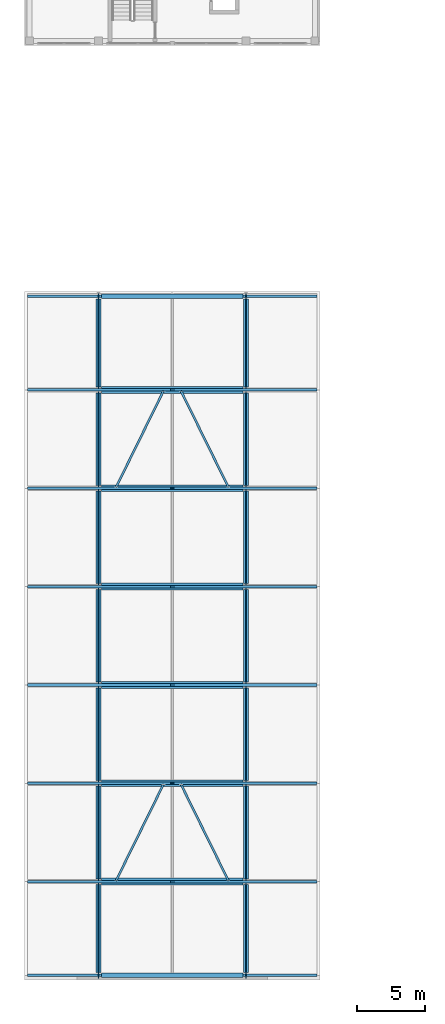
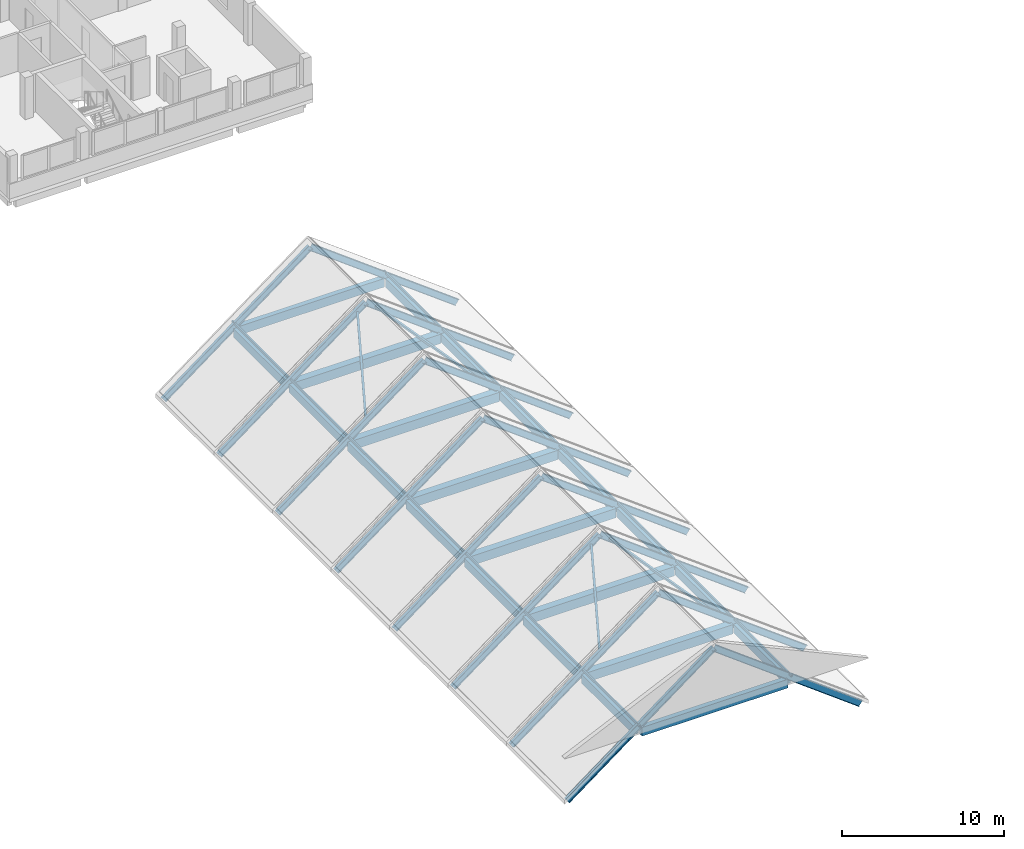
# One storey, part 3 of 35: 34 members, 22 beams.
"""IFC4 building model written with IfcOpenShell, lengths in metres."""

from ifc_helpers import new_model, si_unit, derived_unit, direction, frame, origin, origin_2d, place, context, subcontext, project, spatial, rectangle, hollow_rectangle, i_section, extrude, material, material_profile, profile_set, type_object, element, save


model = new_model("IFC4")

# Units and contexts
model_context = context("Model", 3, precision=1e-05, world=origin(), true_north=direction((0.0, 1.0)))
body_context = subcontext(model_context, "Body", "Model", "MODEL_VIEW")
ifc_project = project(units=[si_unit("LENGTHUNIT", "METRE"), si_unit("AREAUNIT", "SQUARE_METRE"), si_unit("VOLUMEUNIT", "CUBIC_METRE"), si_unit("PLANEANGLEUNIT", "RADIAN"), si_unit("MASSUNIT", "GRAM", prefix="KILO"), derived_unit("THERMALTRANSMITTANCEUNIT", [(si_unit("MASSUNIT", "GRAM", prefix="KILO"), 1), (si_unit("TIMEUNIT", "SECOND"), -3), (si_unit("THERMODYNAMICTEMPERATUREUNIT", "KELVIN"), -1)])], contexts=[model_context])

# Site, building, storey
site_placement = place(None, origin())
site = spatial("IfcSite", under=ifc_project, at=site_placement, CompositionType="ELEMENT")
building_placement = place(site_placement, origin())
building = spatial("IfcBuilding", under=site, at=building_placement, Name="Ochrekiln Boulevard Commons", CompositionType="ELEMENT")
storey_placement = place(building_placement, frame((0.0, 0.0, 30.97509765625)))
storey = spatial("IfcBuildingStorey", under=building, at=storey_placement, Name="L09", CompositionType="ELEMENT", Elevation=30.97509765625)

# Beams
ifc_material_1 = material(Name="Concrete C40/50", Category="concrete")
ifc_material_profile_1 = material_profile(ifc_material_1, rectangle(XDim=0.5, YDim=0.699951171875, at=origin_2d()), Name="RC-BM-500x700")
ifc_profile_set_1 = profile_set([ifc_material_profile_1], Name="Concrete C40/50")
beam_type_1 = type_object("IfcBeamType", Name="BM-RC-500x700", PredefinedType="BEAM", material=ifc_profile_set_1)
for number, where, z_axis, x_axis, name in (
    (1, (5.610107421875, 7.199951171875, -0.650146484375), (1.0, 0.0, 0.0), (0.0, 1.0, 0.0), "Block D L09 Beam B-5070 X2"),
    (2, (5.610107421875, 14.39990234375, -0.650146484375), (1.0, 0.0, 0.0), (0.0, 1.0, 0.0), "Block D L09 Beam B-5070 X3"),
    (3, (5.610107421875, 21.60009765625, -0.650146484375), (1.0, 0.0, 0.0), (0.0, 1.0, 0.0), "Block D L09 Beam B-5070 X4"),
    (4, (5.610107421875, 28.800048828125, -0.650146484375), (1.0, 0.0, 0.0), (0.0, 1.0, 0.0), "Block D L09 Beam B-5070 X5"),
    (5, (5.610107421875, 36.0, -0.650146484375), (1.0, 0.0, 0.0), (0.0, 1.0, 0.0), "Block D L09 Beam B-5070 X6"),
    (6, (5.610107421875, 43.199951171875, -0.650146484375), (1.0, 0.0, 0.0), (0.0, 1.0, 0.0), "Block D L09 Beam B-5070 X7"),
):
    element("IfcBeam", number, at=place(storey_placement, frame(where, z_axis=z_axis, x_axis=x_axis)), inside=storey, type_object=beam_type_1, Name=name, PredefinedType="BEAM", context=body_context, shape_type="SweptSolid", body=[
        extrude(rectangle(XDim=0.5, YDim=0.699951171875, at=origin_2d()), origin(), (0.0, 0.0, 1.0), 10.3798828125),
    ])

# Members
ifc_material_2 = material(Name="Steel A500 Grade C", Category="steel")
ifc_material_profile_2 = material_profile(ifc_material_2, hollow_rectangle(XDim=0.14990234375, YDim=0.14990234375, WallThickness=0.009521484375, at=origin_2d()), Name="HSS150X150X9.5")
ifc_profile_set_2 = profile_set([ifc_material_profile_2], Name="Steel A500 Grade C")
member_type_1 = type_object("IfcMemberType", Name="MEM-BRC-HSS150", PredefinedType="BRACE", material=ifc_profile_set_2)
for number, where, z_axis, x_axis, name in (
    (7, (6.696044921875, 7.2900390625, 0.706298828125), (0.41928190663, 0.85165526584, 0.314461429972), (-0.897168393426, 0.441688661659, 0.0), "Block D Roof Diagonal Brace 2W"),
    (8, (14.904052734375, 7.2900390625, 0.706298828125), (-0.41928190663, 0.85165526584, 0.314461429972), (-0.897168393426, -0.441688661659, 0.0), "Block D Roof Diagonal Brace 2E"),
    (9, (6.696044921875, 36.090087890625, 0.706298828125), (0.41928190663, 0.85165526584, 0.314461429972), (-0.897168393426, 0.441688661659, 0.0), "Block D Roof Diagonal Brace 6W"),
    (10, (14.904052734375, 36.090087890625, 0.706298828125), (-0.41928190663, 0.85165526584, 0.314461429972), (-0.897168393426, -0.441688661659, 0.0), "Block D Roof Diagonal Brace 6E"),
):
    element("IfcMember", number, at=place(storey_placement, frame(where, z_axis=z_axis, x_axis=x_axis)), inside=storey, type_object=member_type_1, Name=name, PredefinedType="BRACE", context=body_context, shape_type="SweptSolid", body=[
        extrude(hollow_rectangle(XDim=0.14990234375, YDim=0.14990234375, WallThickness=0.009521484375, at=origin_2d()), origin(), (0.0, 0.0, 1.0), 8.24267578125),
    ])
ifc_material_profile_3 = material_profile(ifc_material_2, hollow_rectangle(XDim=0.10009765625, YDim=0.14990234375, WallThickness=0.00634765625, at=origin_2d()), Name="HSS150X100X6.4")
ifc_profile_set_3 = profile_set([ifc_material_profile_3], Name="Steel A500 Grade C")
member_type_2 = type_object("IfcMemberType", Name="MEM-PUR-HSS150X100", PredefinedType="PURLIN", material=ifc_profile_set_3)
for number, where, z_axis, x_axis, name in (
    (11, (5.39990234375, 0.10009765625, -0.07373046875), (0.0, 1.0, 0.0), (-1.0, 0.0, 0.0), "Block D Roof Purlin 1W.1"),
    (12, (16.199951171875, 0.10009765625, -0.07373046875), (0.0, 1.0, 0.0), (-1.0, 0.0, 0.0), "Block D Roof Purlin 1E.1"),
    (13, (5.39990234375, 7.300048828125, -0.07373046875), (0.0, 1.0, 0.0), (-1.0, 0.0, 0.0), "Block D Roof Purlin 2W.1"),
    (14, (16.199951171875, 7.300048828125, -0.07373046875), (0.0, 1.0, 0.0), (-1.0, 0.0, 0.0), "Block D Roof Purlin 2E.1"),
    (15, (5.39990234375, 14.5, -0.07373046875), (0.0, 1.0, 0.0), (-1.0, 0.0, 0.0), "Block D Roof Purlin 3W.1"),
    (16, (16.199951171875, 14.5, -0.07373046875), (0.0, 1.0, 0.0), (-1.0, 0.0, 0.0), "Block D Roof Purlin 3E.1"),
    (17, (5.39990234375, 21.699951171875, -0.07373046875), (0.0, 1.0, 0.0), (-1.0, 0.0, 0.0), "Block D Roof Purlin 4W.1"),
    (18, (16.199951171875, 21.699951171875, -0.07373046875), (0.0, 1.0, 0.0), (-1.0, 0.0, 0.0), "Block D Roof Purlin 4E.1"),
    (19, (5.39990234375, 28.89990234375, -0.07373046875), (0.0, 1.0, 0.0), (-1.0, 0.0, 0.0), "Block D Roof Purlin 5W.1"),
    (20, (16.199951171875, 28.89990234375, -0.07373046875), (0.0, 1.0, 0.0), (-1.0, 0.0, 0.0), "Block D Roof Purlin 5E.1"),
    (21, (5.39990234375, 36.10009765625, -0.07373046875), (0.0, 1.0, 0.0), (-1.0, 0.0, 0.0), "Block D Roof Purlin 6W.1"),
    (22, (16.199951171875, 36.10009765625, -0.07373046875), (0.0, 1.0, 0.0), (-1.0, 0.0, 0.0), "Block D Roof Purlin 6E.1"),
    (23, (5.39990234375, 43.300048828125, -0.07373046875), (0.0, 1.0, 0.0), (-1.0, 0.0, 0.0), "Block D Roof Purlin 7W.1"),
    (24, (16.199951171875, 43.300048828125, -0.07373046875), (0.0, 1.0, 0.0), (-1.0, 0.0, 0.0), "Block D Roof Purlin 7E.1"),
):
    element("IfcMember", number, at=place(storey_placement, frame(where, z_axis=z_axis, x_axis=x_axis)), inside=storey, type_object=member_type_2, Name=name, PredefinedType="PURLIN", context=body_context, shape_type="SweptSolid", body=[
        extrude(hollow_rectangle(XDim=0.10009765625, YDim=0.14990234375, WallThickness=0.00634765625, at=origin_2d()), origin(), (0.0, 0.0, 1.0), 7.0),
    ])
ifc_material_3 = material(Name="Steel A992 Grade 50", Category="steel")
ifc_material_profile_4 = material_profile(ifc_material_3, i_section(OverallWidth=0.19091796875, OverallDepth=0.45703125, WebThickness=0.009033203125, FlangeThickness=0.014404296875, at=origin_2d()), Name="W18X50")
ifc_profile_set_4 = profile_set([ifc_material_profile_4], Name="Steel A992 Grade 50")
member_type_3 = type_object("IfcMemberType", Name="MEM-RAF-W18X50", PredefinedType="RAFTER", material=ifc_profile_set_4)
for number, where, z_axis, x_axis, name in (
    (25, (0.35009765625, 0.35009765625, -4.05322265625), (0.799993271506, 0.0, 0.600008971221), (0.0, 1.0, 0.0), "Block D Steep Gable Rafter 1W"),
    (26, (21.25, 0.35009765625, -4.05322265625), (-0.799993271506, 0.0, 0.600008971221), (0.0, -1.0, 0.0), "Block D Steep Gable Rafter 1E"),
    (27, (0.35009765625, 7.199951171875, -4.05322265625), (0.799993271506, 0.0, 0.600008971221), (0.0, 1.0, 0.0), "Block D Steep Gable Rafter 2W"),
    (28, (21.25, 7.199951171875, -4.05322265625), (-0.799993271506, 0.0, 0.600008971221), (0.0, -1.0, 0.0), "Block D Steep Gable Rafter 2E"),
    (29, (0.35009765625, 14.39990234375, -4.05322265625), (0.799993271506, 0.0, 0.600008971221), (0.0, 1.0, 0.0), "Block D Steep Gable Rafter 3W"),
    (30, (21.25, 14.39990234375, -4.05322265625), (-0.799993271506, 0.0, 0.600008971221), (0.0, -1.0, 0.0), "Block D Steep Gable Rafter 3E"),
    (31, (0.35009765625, 21.60009765625, -4.05322265625), (0.799993271506, 0.0, 0.600008971221), (0.0, 1.0, 0.0), "Block D Steep Gable Rafter 4W"),
    (32, (21.25, 21.60009765625, -4.05322265625), (-0.799993271506, 0.0, 0.600008971221), (0.0, -1.0, 0.0), "Block D Steep Gable Rafter 4E"),
    (33, (0.35009765625, 28.800048828125, -4.05322265625), (0.799993271506, 0.0, 0.600008971221), (0.0, 1.0, 0.0), "Block D Steep Gable Rafter 5W"),
    (34, (21.25, 28.800048828125, -4.05322265625), (-0.799993271506, 0.0, 0.600008971221), (0.0, -1.0, 0.0), "Block D Steep Gable Rafter 5E"),
    (35, (0.35009765625, 36.0, -4.05322265625), (0.799993271506, 0.0, 0.600008971221), (0.0, 1.0, 0.0), "Block D Steep Gable Rafter 6W"),
    (36, (21.25, 36.0, -4.05322265625), (-0.799993271506, 0.0, 0.600008971221), (0.0, -1.0, 0.0), "Block D Steep Gable Rafter 6E"),
    (37, (0.35009765625, 43.199951171875, -4.05322265625), (0.799993271506, 0.0, 0.600008971221), (0.0, 1.0, 0.0), "Block D Steep Gable Rafter 7W"),
    (38, (21.25, 43.199951171875, -4.05322265625), (-0.799993271506, 0.0, 0.600008971221), (0.0, -1.0, 0.0), "Block D Steep Gable Rafter 7E"),
    (39, (0.35009765625, 50.050048828125, -4.05322265625), (0.799993271506, 0.0, 0.600008971221), (0.0, 1.0, 0.0), "Block D Steep Gable Rafter 8W"),
    (40, (21.25, 50.050048828125, -4.05322265625), (-0.799993271506, 0.0, 0.600008971221), (0.0, -1.0, 0.0), "Block D Steep Gable Rafter 8E"),
):
    element("IfcMember", number, at=place(storey_placement, frame(where, z_axis=z_axis, x_axis=x_axis)), inside=storey, type_object=member_type_3, Name=name, PredefinedType="RAFTER", context=body_context, shape_type="SweptSolid", body=[
        extrude(i_section(OverallWidth=0.19091796875, OverallDepth=0.45703125, WebThickness=0.009033203125, FlangeThickness=0.014404296875, at=origin_2d()), origin(), (0.0, 0.0, 1.0), 13.0625),
    ])

# Beams
ifc_material_profile_5 = material_profile(ifc_material_1, rectangle(XDim=0.35009765625, YDim=0.64990234375, at=origin_2d()), Name="RC-SPN-350x650")
ifc_profile_set_5 = profile_set([ifc_material_profile_5], Name="Concrete C40/50")
beam_type_2 = type_object("IfcBeamType", Name="SPN-RC-350x650", PredefinedType="SPANDREL", material=ifc_profile_set_5)
for number, where, z_axis, x_axis, name in (
    (41, (5.610107421875, 0.35009765625, -0.625), (1.0, 0.0, 0.0), (0.0, 1.0, 0.0), "Block D L09 Beam SP-3565 X1"),
    (42, (5.610107421875, 50.050048828125, -0.625), (1.0, 0.0, 0.0), (0.0, 1.0, 0.0), "Block D L09 Beam SP-3565 X8"),
):
    element("IfcBeam", number, at=place(storey_placement, frame(where, z_axis=z_axis, x_axis=x_axis)), inside=storey, type_object=beam_type_2, Name=name, PredefinedType="SPANDREL", context=body_context, shape_type="SweptSolid", body=[
        extrude(rectangle(XDim=0.35009765625, YDim=0.64990234375, at=origin_2d()), origin(), (0.0, 0.0, 1.0), 10.3798828125),
    ])
beam_1_placement = place(storey_placement, frame((5.39990234375, 0.56005859375, -0.625), z_axis=(0.0, 1.0, 0.0), x_axis=(-1.0, 0.0, 0.0)))
element("IfcBeam", 43, at=beam_1_placement, inside=storey, type_object=beam_type_2, Name="Block D L09 Beam SP-3565 Y9", PredefinedType="SPANDREL", context=body_context, shape_type="SweptSolid", body=[
    extrude(rectangle(XDim=0.35009765625, YDim=0.64990234375, at=origin_2d()), origin(), (0.0, 0.0, 1.0), 6.429931640625),
])
beam_2_placement = place(storey_placement, frame((5.39990234375, 7.409912109375, -0.625), z_axis=(0.0, 1.0, 0.0), x_axis=(-1.0, 0.0, 0.0)))
element("IfcBeam", 44, at=beam_2_placement, inside=storey, type_object=beam_type_2, Name="Block D L09 Beam SP-3565 Y10", PredefinedType="SPANDREL", context=body_context, shape_type="SweptSolid", body=[
    extrude(rectangle(XDim=0.35009765625, YDim=0.64990234375, at=origin_2d()), origin(), (0.0, 0.0, 1.0), 6.780029296875),
])
beam_3_placement = place(storey_placement, frame((5.39990234375, 14.610107421875, -0.625), z_axis=(0.0, 1.0, 0.0), x_axis=(-1.0, 0.0, 0.0)))
element("IfcBeam", 45, at=beam_3_placement, inside=storey, type_object=beam_type_2, Name="Block D L09 Beam SP-3565 Y11", PredefinedType="SPANDREL", context=body_context, shape_type="SweptSolid", body=[
    extrude(rectangle(XDim=0.35009765625, YDim=0.64990234375, at=origin_2d()), origin(), (0.0, 0.0, 1.0), 6.77978515625),
])
for number, where, z_axis, x_axis, name in (
    (46, (5.39990234375, 21.81005859375, -0.625), (0.0, 1.0, 0.0), (-1.0, 0.0, 0.0), "Block D L09 Beam SP-3565 Y12"),
    (47, (5.39990234375, 29.010009765625, -0.625), (0.0, 1.0, 0.0), (-1.0, 0.0, 0.0), "Block D L09 Beam SP-3565 Y13"),
    (48, (5.39990234375, 36.2099609375, -0.625), (0.0, 1.0, 0.0), (-1.0, 0.0, 0.0), "Block D L09 Beam SP-3565 Y14"),
):
    element("IfcBeam", number, at=place(storey_placement, frame(where, z_axis=z_axis, x_axis=x_axis)), inside=storey, type_object=beam_type_2, Name=name, PredefinedType="SPANDREL", context=body_context, shape_type="SweptSolid", body=[
        extrude(rectangle(XDim=0.35009765625, YDim=0.64990234375, at=origin_2d()), origin(), (0.0, 0.0, 1.0), 6.780029296875),
    ])
beam_4_placement = place(storey_placement, frame((5.39990234375, 43.409912109375, -0.625), z_axis=(0.0, 1.0, 0.0), x_axis=(-1.0, 0.0, 0.0)))
element("IfcBeam", 49, at=beam_4_placement, inside=storey, type_object=beam_type_2, Name="Block D L09 Beam SP-3565 Y15", PredefinedType="SPANDREL", context=body_context, shape_type="SweptSolid", body=[
    extrude(rectangle(XDim=0.35009765625, YDim=0.64990234375, at=origin_2d()), origin(), (0.0, 0.0, 1.0), 6.43017578125),
])
beam_5_placement = place(storey_placement, frame((16.199951171875, 0.56005859375, -0.625), z_axis=(0.0, 1.0, 0.0), x_axis=(-1.0, 0.0, 0.0)))
element("IfcBeam", 50, at=beam_5_placement, inside=storey, type_object=beam_type_2, Name="Block D L09 Beam SP-3565 Y16", PredefinedType="SPANDREL", context=body_context, shape_type="SweptSolid", body=[
    extrude(rectangle(XDim=0.35009765625, YDim=0.64990234375, at=origin_2d()), origin(), (0.0, 0.0, 1.0), 6.429931640625),
])
beam_6_placement = place(storey_placement, frame((16.199951171875, 7.409912109375, -0.625), z_axis=(0.0, 1.0, 0.0), x_axis=(-1.0, 0.0, 0.0)))
element("IfcBeam", 51, at=beam_6_placement, inside=storey, type_object=beam_type_2, Name="Block D L09 Beam SP-3565 Y17", PredefinedType="SPANDREL", context=body_context, shape_type="SweptSolid", body=[
    extrude(rectangle(XDim=0.35009765625, YDim=0.64990234375, at=origin_2d()), origin(), (0.0, 0.0, 1.0), 6.780029296875),
])
beam_7_placement = place(storey_placement, frame((16.199951171875, 14.610107421875, -0.625), z_axis=(0.0, 1.0, 0.0), x_axis=(-1.0, 0.0, 0.0)))
element("IfcBeam", 52, at=beam_7_placement, inside=storey, type_object=beam_type_2, Name="Block D L09 Beam SP-3565 Y18", PredefinedType="SPANDREL", context=body_context, shape_type="SweptSolid", body=[
    extrude(rectangle(XDim=0.35009765625, YDim=0.64990234375, at=origin_2d()), origin(), (0.0, 0.0, 1.0), 6.77978515625),
])
for number, where, z_axis, x_axis, name in (
    (53, (16.199951171875, 21.81005859375, -0.625), (0.0, 1.0, 0.0), (-1.0, 0.0, 0.0), "Block D L09 Beam SP-3565 Y19"),
    (54, (16.199951171875, 29.010009765625, -0.625), (0.0, 1.0, 0.0), (-1.0, 0.0, 0.0), "Block D L09 Beam SP-3565 Y20"),
    (55, (16.199951171875, 36.2099609375, -0.625), (0.0, 1.0, 0.0), (-1.0, 0.0, 0.0), "Block D L09 Beam SP-3565 Y21"),
):
    element("IfcBeam", number, at=place(storey_placement, frame(where, z_axis=z_axis, x_axis=x_axis)), inside=storey, type_object=beam_type_2, Name=name, PredefinedType="SPANDREL", context=body_context, shape_type="SweptSolid", body=[
        extrude(rectangle(XDim=0.35009765625, YDim=0.64990234375, at=origin_2d()), origin(), (0.0, 0.0, 1.0), 6.780029296875),
    ])
beam_8_placement = place(storey_placement, frame((16.199951171875, 43.409912109375, -0.625), z_axis=(0.0, 1.0, 0.0), x_axis=(-1.0, 0.0, 0.0)))
element("IfcBeam", 56, at=beam_8_placement, inside=storey, type_object=beam_type_2, Name="Block D L09 Beam SP-3565 Y22", PredefinedType="SPANDREL", context=body_context, shape_type="SweptSolid", body=[
    extrude(rectangle(XDim=0.35009765625, YDim=0.64990234375, at=origin_2d()), origin(), (0.0, 0.0, 1.0), 6.43017578125),
])

save(model, "model.ifc")
